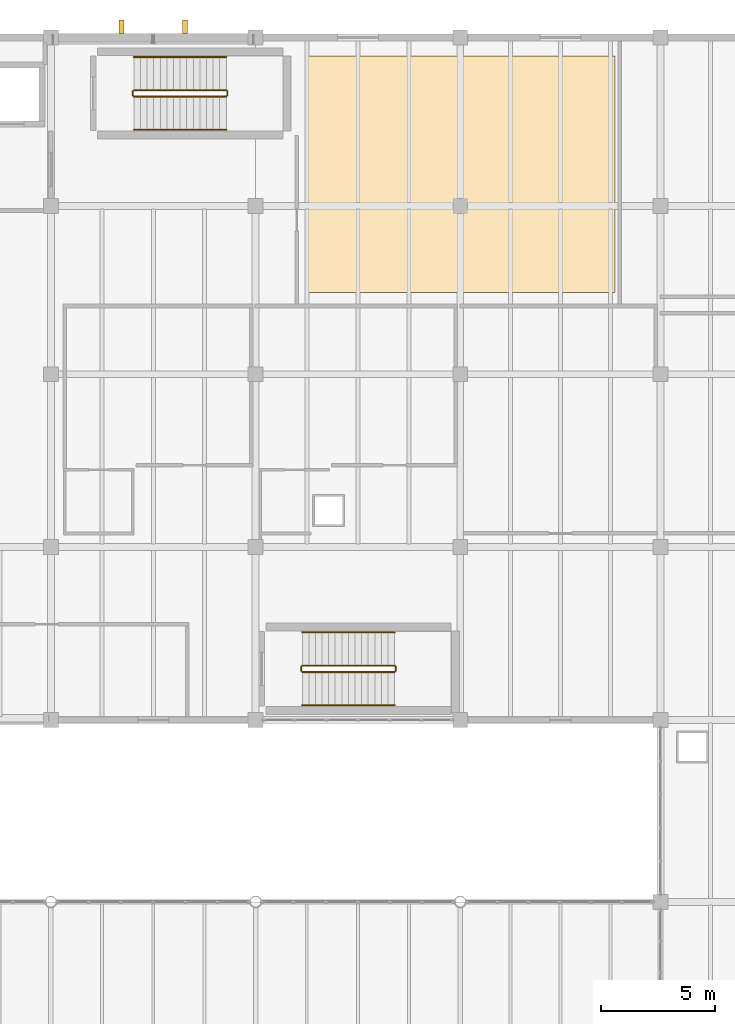
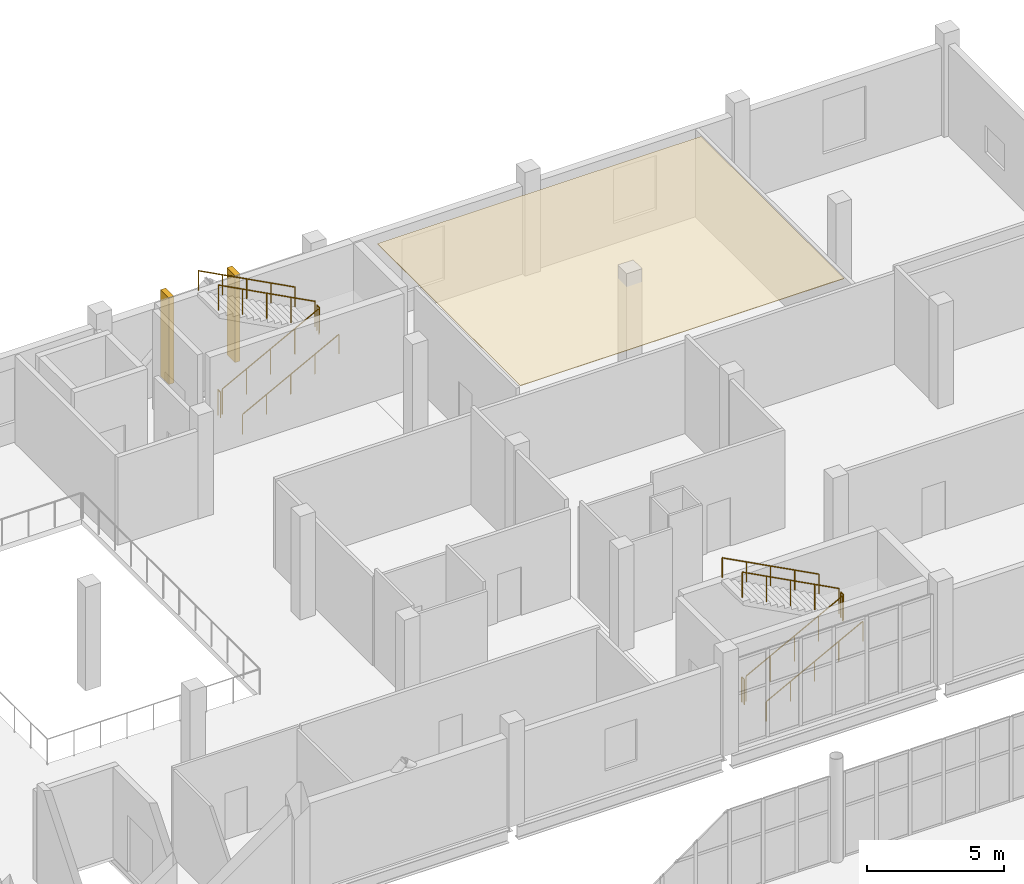
# One storey, part 172 of 172: 12 railings, 2 shading devices, 1 covering.
"""IFC4 building model written with IfcOpenShell, lengths in metres."""

from ifc_helpers import new_model, si_unit, direction, frame, origin, origin_2d, place, context, subcontext, project, spatial, polyline, rectangle, circle, outline, extrude, material, layer, layer_set, type_object, element, save


model = new_model("IFC4")

# Units and contexts
model_context = context("Model", 3, precision=1e-05, world=origin(), true_north=direction((0.0, 1.0)))
body_context = subcontext(model_context, "Body", "Model", "MODEL_VIEW")
ifc_project = project(units=[si_unit("LENGTHUNIT", "METRE"), si_unit("AREAUNIT", "SQUARE_METRE"), si_unit("VOLUMEUNIT", "CUBIC_METRE"), si_unit("PLANEANGLEUNIT", "RADIAN"), si_unit("MASSUNIT", "GRAM", prefix="KILO")], contexts=[model_context])

# Site, building, storey
site_placement = place(None, origin())
site = spatial("IfcSite", under=ifc_project, at=site_placement, CompositionType="ELEMENT")
building_placement = place(site_placement, origin())
building = spatial("IfcBuilding", under=site, at=building_placement, Name="Shengluoqiao Park Theatre", CompositionType="ELEMENT")
storey_placement = place(building_placement, frame((0.0, 0.0, 5.39990234375)))
storey = spatial("IfcBuildingStorey", under=building, at=storey_placement, Name="L01", CompositionType="ELEMENT", Elevation=5.39990234375)

# Shading devices
ifc_material_1 = material(Name="Concrete C45", Category="concrete")
ifc_layer_1 = layer(ifc_material_1, 0.219970703125, Name="Concrete C45")
ifc_layer_set_1 = layer_set([ifc_layer_1], Name="Concrete C45")
shading_device_type = type_object("IfcShadingDeviceType", Name="ENV-FIN-600x220", PredefinedType="USERDEFINED", material=ifc_layer_set_1)
for number, where, z_axis, x_axis, name in (
    (1, (133.509765625, 114.47509765625, 0.020263671875), (0.0, 0.0, 1.0), (0.0, 1.0, 0.0), "L01 Vertical Concrete Acoustic Rib 0149"),
    (2, (136.290283203125, 114.47509765625, 0.020263671875), (0.0, 0.0, 1.0), (0.0, 1.0, 0.0), "L01 Vertical Concrete Acoustic Rib 0150"),
):
    element("IfcShadingDevice", number, at=place(storey_placement, frame(where, z_axis=z_axis, x_axis=x_axis)), inside=storey, type_object=shading_device_type, Name=name, ObjectType="FIN", PredefinedType="USERDEFINED", context=body_context, shape_type="SweptSolid", body=[
        extrude(rectangle(XDim=0.60009765625, YDim=0.219970703125, at=origin_2d()), origin(), (0.0, 0.0, 1.0), 3.85791015625),
    ])

# Covering
ifc_material_2 = material(Name="Mineral fibre acoustic tile")
ifc_layer_2 = layer(ifc_material_2, 0.02490234375, Name="Mineral fibre acoustic tile")
ifc_layer_set_2 = layer_set([ifc_layer_2], Name="Mineral fibre acoustic tile")
covering_type = type_object("IfcCoveringType", Name="INT-COV-CLG3", PredefinedType="CEILING", material=ifc_layer_set_2)
covering_placement = place(storey_placement, frame((0.0, 0.0, 3.985107421875)))
element("IfcCovering", 3, at=covering_placement, inside=storey, type_object=covering_type, Name="Wardrobe Room Acoustic Ceiling", PredefinedType="CEILING", context=body_context, shape_type="SweptSolid", body=[
    extrude(outline(polyline([(141.60009765625, 102.800048828125), (155.199951171875, 102.800048828125), (155.199951171875, 113.199951171875), (141.60009765625, 113.199951171875), (141.60009765625, 102.800048828125)])), origin(), (0.0, 0.0, 1.0), 0.02490234375),
])

# Railings
ifc_material_3 = material(Name="Painted steel", Category="steel")
railing_type_1 = type_object("IfcRailingType", Name="INT-RL-STGRD", PredefinedType="GUARDRAIL", material=ifc_material_3)
railing_1_placement = place(storey_placement, frame((134.050048828125, 111.409912109375, 0.1533203125)))
element("IfcRailing", 4, at=railing_1_placement, inside=storey, type_object=railing_type_1, Name="L01 ST-06 stair guard 1", PredefinedType="GUARDRAIL", context=body_context, shape_type="SweptSolid", body=[
    extrude(circle(Radius=0.02392578125, at=origin_2d()), frame((0.0, 0.0, 1.1259765625), z_axis=(0.884032182968, 0.0, 0.46742603637), x_axis=(0.0, 1.0, 0.0)), (0.0, 0.0, 1.0), 4.5927734375),
    extrude(circle(Radius=0.02099609375, at=origin_2d()), origin(), (0.0, 0.0, 1.0), 1.101806640625),
    extrude(circle(Radius=0.02099609375, at=origin_2d()), frame((1.01513671875, 0.0, 0.53662109375)), (0.0, 0.0, 1.0), 1.101806640625),
    extrude(circle(Radius=0.02099609375, at=origin_2d()), frame((2.030029296875, 0.0, 1.0732421875)), (0.0, 0.0, 1.0), 1.101806640625),
    extrude(circle(Radius=0.02099609375, at=origin_2d()), frame((3.044921875, 0.0, 1.610107421875)), (0.0, 0.0, 1.0), 1.101806640625),
    extrude(circle(Radius=0.02099609375, at=origin_2d()), frame((4.06005859375, 0.0, 2.146728515625)), (0.0, 0.0, 1.0), 1.101806640625),
])
railing_2_placement = place(storey_placement, frame((138.159912109375, 111.4599609375, 2.300048828125)))
element("IfcRailing", 5, at=railing_2_placement, inside=storey, type_object=railing_type_1, Name="L01 ST-06 stair guard 2", PredefinedType="GUARDRAIL", context=body_context, shape_type="SweptSolid", body=[
    extrude(circle(Radius=0.02392578125, at=origin_2d()), frame((0.0, 0.0, 1.1259765625), z_axis=(0.0, 1.0, 0.0), x_axis=(-1.0, 0.0, 0.0)), (0.0, 0.0, 1.0), 0.179931640625),
    extrude(circle(Radius=0.02099609375, at=origin_2d()), origin(), (0.0, 0.0, 1.0), 1.101806640625),
    extrude(circle(Radius=0.02099609375, at=origin_2d()), frame((0.0, 0.179931640625, 0.0)), (0.0, 0.0, 1.0), 1.101806640625),
])
railing_3_placement = place(storey_placement, frame((138.110107421875, 111.68994140625, 2.453369140625)))
element("IfcRailing", 6, at=railing_3_placement, inside=storey, type_object=railing_type_1, Name="L01 ST-06 stair guard 3", PredefinedType="GUARDRAIL", context=body_context, shape_type="SweptSolid", body=[
    extrude(circle(Radius=0.02392578125, at=origin_2d()), frame((0.0, 0.0, 1.1259765625), z_axis=(-0.884032182968, 0.0, 0.46742603637), x_axis=(0.0, -1.0, 0.0)), (0.0, 0.0, 1.0), 4.5927734375),
    extrude(circle(Radius=0.02099609375, at=origin_2d()), origin(), (0.0, 0.0, 1.0), 1.101806640625),
    extrude(circle(Radius=0.02099609375, at=origin_2d()), frame((-1.01513671875, 0.0, 0.53662109375)), (0.0, 0.0, 1.0), 1.101806640625),
    extrude(circle(Radius=0.02099609375, at=origin_2d()), frame((-2.030029296875, 0.0, 1.0732421875)), (0.0, 0.0, 1.0), 1.101806640625),
    extrude(circle(Radius=0.02099609375, at=origin_2d()), frame((-3.044921875, 0.0, 1.610107421875)), (0.0, 0.0, 1.0), 1.101806640625),
    extrude(circle(Radius=0.02099609375, at=origin_2d()), frame((-4.06005859375, 0.0, 2.146728515625)), (0.0, 0.0, 1.0), 1.101806640625),
])
railing_4_placement = place(storey_placement, frame((134.0, 111.4599609375, 0.0)))
element("IfcRailing", 7, at=railing_4_placement, inside=storey, type_object=railing_type_1, Name="L01 ST-06 stair guard 4", PredefinedType="GUARDRAIL", context=body_context, shape_type="SweptSolid", body=[
    extrude(circle(Radius=0.02392578125, at=origin_2d()), frame((0.0, 0.0, 1.1259765625), z_axis=(0.0, 1.0, 0.0), x_axis=(-1.0, 0.0, 0.0)), (0.0, 0.0, 1.0), 0.179931640625),
    extrude(circle(Radius=0.02099609375, at=origin_2d()), origin(), (0.0, 0.0, 1.0), 1.101806640625),
    extrude(circle(Radius=0.02099609375, at=origin_2d()), frame((0.0, 0.179931640625, 0.0)), (0.0, 0.0, 1.0), 1.101806640625),
])
railing_5_placement = place(storey_placement, frame((141.449951171875, 86.110107421875, 0.1533203125)))
element("IfcRailing", 8, at=railing_5_placement, inside=storey, type_object=railing_type_1, Name="L01 ST-10 stair guard 1", PredefinedType="GUARDRAIL", context=body_context, shape_type="SweptSolid", body=[
    extrude(circle(Radius=0.02392578125, at=origin_2d()), frame((0.0, 0.0, 1.1259765625), z_axis=(0.884032182968, 0.0, 0.46742603637), x_axis=(0.0, 1.0, 0.0)), (0.0, 0.0, 1.0), 4.5927734375),
    extrude(circle(Radius=0.02099609375, at=origin_2d()), origin(), (0.0, 0.0, 1.0), 1.101806640625),
    extrude(circle(Radius=0.02099609375, at=origin_2d()), frame((1.01513671875, 0.0, 0.53662109375)), (0.0, 0.0, 1.0), 1.101806640625),
    extrude(circle(Radius=0.02099609375, at=origin_2d()), frame((2.030029296875, 0.0, 1.0732421875)), (0.0, 0.0, 1.0), 1.101806640625),
    extrude(circle(Radius=0.02099609375, at=origin_2d()), frame((3.044921875, 0.0, 1.610107421875)), (0.0, 0.0, 1.0), 1.101806640625),
    extrude(circle(Radius=0.02099609375, at=origin_2d()), frame((4.06005859375, 0.0, 2.146728515625)), (0.0, 0.0, 1.0), 1.101806640625),
])
railing_6_placement = place(storey_placement, frame((145.56005859375, 86.159912109375, 2.300048828125)))
element("IfcRailing", 9, at=railing_6_placement, inside=storey, type_object=railing_type_1, Name="L01 ST-10 stair guard 2", PredefinedType="GUARDRAIL", context=body_context, shape_type="SweptSolid", body=[
    extrude(circle(Radius=0.02392578125, at=origin_2d()), frame((0.0, 0.0, 1.1259765625), z_axis=(0.0, 1.0, 0.0), x_axis=(-1.0, 0.0, 0.0)), (0.0, 0.0, 1.0), 0.18017578125),
    extrude(circle(Radius=0.02099609375, at=origin_2d()), origin(), (0.0, 0.0, 1.0), 1.101806640625),
    extrude(circle(Radius=0.02099609375, at=origin_2d()), frame((0.0, 0.18017578125, 0.0)), (0.0, 0.0, 1.0), 1.101806640625),
])
railing_7_placement = place(storey_placement, frame((145.510009765625, 86.389892578125, 2.453369140625)))
element("IfcRailing", 10, at=railing_7_placement, inside=storey, type_object=railing_type_1, Name="L01 ST-10 stair guard 3", PredefinedType="GUARDRAIL", context=body_context, shape_type="SweptSolid", body=[
    extrude(circle(Radius=0.02392578125, at=origin_2d()), frame((0.0, 0.0, 1.1259765625), z_axis=(-0.884032182968, 0.0, 0.46742603637), x_axis=(0.0, -1.0, 0.0)), (0.0, 0.0, 1.0), 4.5927734375),
    extrude(circle(Radius=0.02099609375, at=origin_2d()), origin(), (0.0, 0.0, 1.0), 1.101806640625),
    extrude(circle(Radius=0.02099609375, at=origin_2d()), frame((-1.01513671875, 0.0, 0.53662109375)), (0.0, 0.0, 1.0), 1.101806640625),
    extrude(circle(Radius=0.02099609375, at=origin_2d()), frame((-2.030029296875, 0.0, 1.0732421875)), (0.0, 0.0, 1.0), 1.101806640625),
    extrude(circle(Radius=0.02099609375, at=origin_2d()), frame((-3.044921875, 0.0, 1.610107421875)), (0.0, 0.0, 1.0), 1.101806640625),
    extrude(circle(Radius=0.02099609375, at=origin_2d()), frame((-4.06005859375, 0.0, 2.146728515625)), (0.0, 0.0, 1.0), 1.101806640625),
])
railing_8_placement = place(storey_placement, frame((141.39990234375, 86.159912109375, 0.0)))
element("IfcRailing", 11, at=railing_8_placement, inside=storey, type_object=railing_type_1, Name="L01 ST-10 stair guard 4", PredefinedType="GUARDRAIL", context=body_context, shape_type="SweptSolid", body=[
    extrude(circle(Radius=0.02392578125, at=origin_2d()), frame((0.0, 0.0, 1.1259765625), z_axis=(0.0, 1.0, 0.0), x_axis=(-1.0, 0.0, 0.0)), (0.0, 0.0, 1.0), 0.18017578125),
    extrude(circle(Radius=0.02099609375, at=origin_2d()), origin(), (0.0, 0.0, 1.0), 1.101806640625),
    extrude(circle(Radius=0.02099609375, at=origin_2d()), frame((0.0, 0.18017578125, 0.0)), (0.0, 0.0, 1.0), 1.101806640625),
])
ifc_material_4 = material(Name="Stainless steel 304", Category="steel")
railing_type_2 = type_object("IfcRailingType", Name="INT-RL-STHR", PredefinedType="HANDRAIL", material=ifc_material_4)
railing_9_placement = place(storey_placement, frame((134.050048828125, 109.949951171875, 0.1533203125)))
element("IfcRailing", 12, at=railing_9_placement, inside=storey, type_object=railing_type_2, Name="L01 ST-06 stair handrail 1", PredefinedType="HANDRAIL", context=body_context, shape_type="SweptSolid", body=[
    extrude(circle(Radius=0.02392578125, at=origin_2d()), frame((0.0, 0.0, 0.8759765625), z_axis=(0.884032182968, 0.0, 0.46742603637), x_axis=(0.0, 1.0, 0.0)), (0.0, 0.0, 1.0), 4.5927734375),
    extrude(circle(Radius=0.02099609375, at=origin_2d()), origin(), (0.0, 0.0, 1.0), 0.851806640625),
    extrude(circle(Radius=0.02099609375, at=origin_2d()), frame((1.01513671875, 0.0, 0.53662109375)), (0.0, 0.0, 1.0), 0.851806640625),
    extrude(circle(Radius=0.02099609375, at=origin_2d()), frame((2.030029296875, 0.0, 1.0732421875)), (0.0, 0.0, 1.0), 0.851806640625),
    extrude(circle(Radius=0.02099609375, at=origin_2d()), frame((3.044921875, 0.0, 1.610107421875)), (0.0, 0.0, 1.0), 0.851806640625),
    extrude(circle(Radius=0.02099609375, at=origin_2d()), frame((4.06005859375, 0.0, 2.146728515625)), (0.0, 0.0, 1.0), 0.851806640625),
])
railing_10_placement = place(storey_placement, frame((138.110107421875, 113.14990234375, 2.453369140625)))
element("IfcRailing", 13, at=railing_10_placement, inside=storey, type_object=railing_type_2, Name="L01 ST-06 stair handrail 2", PredefinedType="HANDRAIL", context=body_context, shape_type="SweptSolid", body=[
    extrude(circle(Radius=0.02392578125, at=origin_2d()), frame((0.0, 0.0, 0.8759765625), z_axis=(-0.884032182968, 0.0, 0.46742603637), x_axis=(0.0, -1.0, 0.0)), (0.0, 0.0, 1.0), 4.5927734375),
    extrude(circle(Radius=0.02099609375, at=origin_2d()), origin(), (0.0, 0.0, 1.0), 0.851806640625),
    extrude(circle(Radius=0.02099609375, at=origin_2d()), frame((-1.01513671875, 0.0, 0.53662109375)), (0.0, 0.0, 1.0), 0.851806640625),
    extrude(circle(Radius=0.02099609375, at=origin_2d()), frame((-2.030029296875, 0.0, 1.0732421875)), (0.0, 0.0, 1.0), 0.851806640625),
    extrude(circle(Radius=0.02099609375, at=origin_2d()), frame((-3.044921875, 0.0, 1.610107421875)), (0.0, 0.0, 1.0), 0.851806640625),
    extrude(circle(Radius=0.02099609375, at=origin_2d()), frame((-4.06005859375, 0.0, 2.146728515625)), (0.0, 0.0, 1.0), 0.851806640625),
])
railing_11_placement = place(storey_placement, frame((141.449951171875, 84.64990234375, 0.1533203125)))
element("IfcRailing", 14, at=railing_11_placement, inside=storey, type_object=railing_type_2, Name="L01 ST-10 stair handrail 1", PredefinedType="HANDRAIL", context=body_context, shape_type="SweptSolid", body=[
    extrude(circle(Radius=0.02392578125, at=origin_2d()), frame((0.0, 0.0, 0.8759765625), z_axis=(0.884032182968, 0.0, 0.46742603637), x_axis=(0.0, 1.0, 0.0)), (0.0, 0.0, 1.0), 4.5927734375),
    extrude(circle(Radius=0.02099609375, at=origin_2d()), origin(), (0.0, 0.0, 1.0), 0.851806640625),
    extrude(circle(Radius=0.02099609375, at=origin_2d()), frame((1.01513671875, 0.0, 0.53662109375)), (0.0, 0.0, 1.0), 0.851806640625),
    extrude(circle(Radius=0.02099609375, at=origin_2d()), frame((2.030029296875, 0.0, 1.0732421875)), (0.0, 0.0, 1.0), 0.851806640625),
    extrude(circle(Radius=0.02099609375, at=origin_2d()), frame((3.044921875, 0.0, 1.610107421875)), (0.0, 0.0, 1.0), 0.851806640625),
    extrude(circle(Radius=0.02099609375, at=origin_2d()), frame((4.06005859375, 0.0, 2.146728515625)), (0.0, 0.0, 1.0), 0.851806640625),
])
railing_12_placement = place(storey_placement, frame((145.510009765625, 87.85009765625, 2.453369140625)))
element("IfcRailing", 15, at=railing_12_placement, inside=storey, type_object=railing_type_2, Name="L01 ST-10 stair handrail 2", PredefinedType="HANDRAIL", context=body_context, shape_type="SweptSolid", body=[
    extrude(circle(Radius=0.02392578125, at=origin_2d()), frame((0.0, 0.0, 0.8759765625), z_axis=(-0.884032182968, 0.0, 0.46742603637), x_axis=(0.0, -1.0, 0.0)), (0.0, 0.0, 1.0), 4.5927734375),
    extrude(circle(Radius=0.02099609375, at=origin_2d()), origin(), (0.0, 0.0, 1.0), 0.851806640625),
    extrude(circle(Radius=0.02099609375, at=origin_2d()), frame((-1.01513671875, 0.0, 0.53662109375)), (0.0, 0.0, 1.0), 0.851806640625),
    extrude(circle(Radius=0.02099609375, at=origin_2d()), frame((-2.030029296875, 0.0, 1.0732421875)), (0.0, 0.0, 1.0), 0.851806640625),
    extrude(circle(Radius=0.02099609375, at=origin_2d()), frame((-3.044921875, 0.0, 1.610107421875)), (0.0, 0.0, 1.0), 0.851806640625),
    extrude(circle(Radius=0.02099609375, at=origin_2d()), frame((-4.06005859375, 0.0, 2.146728515625)), (0.0, 0.0, 1.0), 0.851806640625),
])

save(model, "model.ifc")
